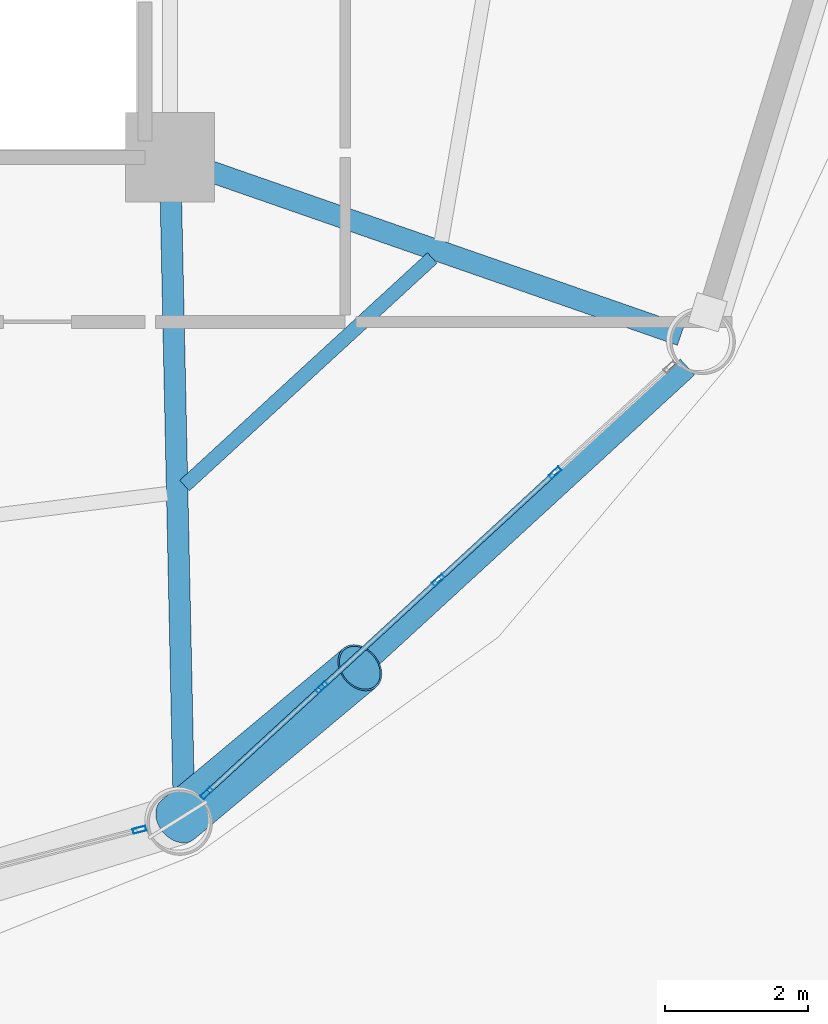
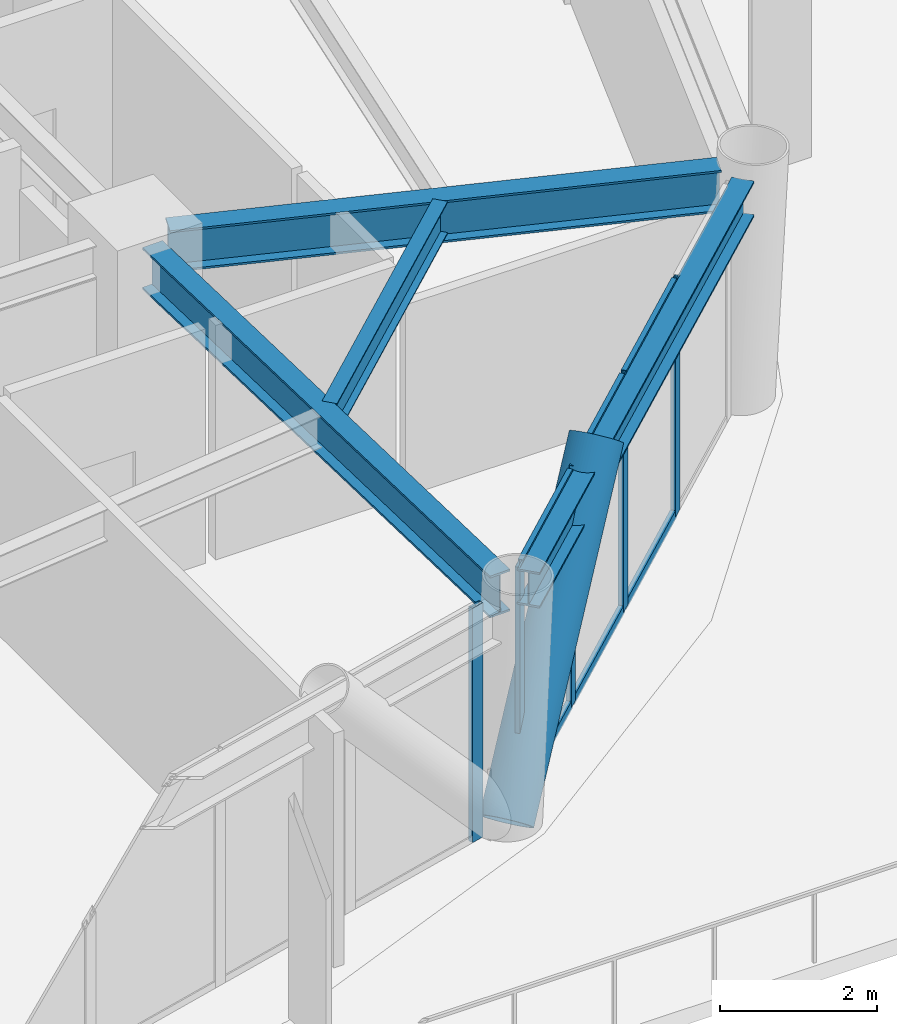
# One storey, part 11 of 24: 12 members, 4 beams, 2 elements without a shape of their own.
"""IFC4 building model written with IfcOpenShell, lengths in metres."""

from ifc_helpers import new_model, si_unit, direction, frame, origin, origin_2d, place, context, subcontext, project, spatial, hollow_rectangle, hollow_circle, i_section, extrude, material, layer, layer_set, material_profile, profile_set, type_object, element, aggregate, save


model = new_model("IFC4")

# Units and contexts
model_context = context("Model", 3, precision=1e-05, world=origin(), true_north=direction((0.0, 1.0)))
body_context = subcontext(model_context, "Body", "Model", "MODEL_VIEW")
ifc_project = project(units=[si_unit("LENGTHUNIT", "METRE"), si_unit("AREAUNIT", "SQUARE_METRE"), si_unit("VOLUMEUNIT", "CUBIC_METRE"), si_unit("PLANEANGLEUNIT", "RADIAN"), si_unit("MASSUNIT", "GRAM", prefix="KILO")], contexts=[model_context])

# Site, building, storey
site_placement = place(None, origin())
site = spatial("IfcSite", under=ifc_project, at=site_placement, CompositionType="ELEMENT")
building_placement = place(site_placement, origin())
building = spatial("IfcBuilding", under=site, at=building_placement, Name="Varnakorn Sky Granary", CompositionType="ELEMENT")
storey_placement = place(building_placement, frame((0.0, 0.0, 27.60009765625)))
storey = spatial("IfcBuildingStorey", under=building, at=storey_placement, Name="L06", CompositionType="ELEMENT", Elevation=27.60009765625)

# Beams
ifc_material_1 = material(Name="Steel S355JR", Category="steel")
ifc_material_profile_1 = material_profile(ifc_material_1, i_section(OverallWidth=0.300048828125, OverallDepth=0.64990234375, WebThickness=0.01611328125, FlangeThickness=0.031005859375, at=origin_2d()), Name="HE 650 B")
ifc_profile_set_1 = profile_set([ifc_material_profile_1], Name="Steel S355JR")
beam_type_1 = type_object("IfcBeamType", Name="BM-RAD-Z1", PredefinedType="BEAM", material=ifc_profile_set_1)
beam_1_placement = place(storey_placement, frame((8.35888671875, -7.02001953125, 3.31494140625), z_axis=(0.021471482042, -0.999769461155, 0.0), x_axis=(0.999769461155, 0.021471482042, 0.0)))
element("IfcBeam", 1, at=beam_1_placement, inside=storey, type_object=beam_type_1, Name="Radial Floor Girder RG11 L06", PredefinedType="BEAM", context=body_context, shape_type="SweptSolid", body=[
    extrude(i_section(OverallWidth=0.300048828125, OverallDepth=0.64990234375, WebThickness=0.01611328125, FlangeThickness=0.031005859375, at=origin_2d()), origin(), (0.0, 0.0, 1.0), 8.52783203125),
])
beam_2_placement = place(storey_placement, frame((8.74658203125, -6.738037109375, 3.31494140625), z_axis=(0.944458976559, -0.3286293377, 0.0), x_axis=(0.3286293377, 0.944458976559, 0.0)))
element("IfcBeam", 2, at=beam_2_placement, inside=storey, type_object=beam_type_1, Name="Radial Floor Girder RG12 L06", PredefinedType="BEAM", context=body_context, shape_type="SweptSolid", body=[
    extrude(i_section(OverallWidth=0.300048828125, OverallDepth=0.64990234375, WebThickness=0.01611328125, FlangeThickness=0.031005859375, at=origin_2d()), origin(), (0.0, 0.0, 1.0), 7.142333984375),
])
ifc_material_profile_2 = material_profile(ifc_material_1, i_section(OverallWidth=0.199951171875, OverallDepth=0.5, WebThickness=0.01025390625, FlangeThickness=0.01611328125, at=origin_2d()), Name="IPE 500")
ifc_profile_set_2 = profile_set([ifc_material_profile_2], Name="Steel S355JR")
beam_type_2 = type_object("IfcBeamType", Name="BM-SEC-Z1", PredefinedType="BEAM", material=ifc_profile_set_2)
beam_3_placement = place(storey_placement, frame((8.5537109375, -11.18798828125, 3.389892578125), z_axis=(0.736354085794, 0.676596379191, 0.0), x_axis=(-0.676596379191, 0.736354085794, 0.0)))
element("IfcBeam", 3, at=beam_3_placement, inside=storey, type_object=beam_type_2, Name="Secondary Floor Chord Beam MSB11 L06", PredefinedType="BEAM", context=body_context, shape_type="SweptSolid", body=[
    extrude(i_section(OverallWidth=0.199951171875, OverallDepth=0.5, WebThickness=0.01025390625, FlangeThickness=0.01611328125, at=origin_2d()), origin(), (0.0, 0.0, 1.0), 4.702392578125),
])
ifc_material_profile_3 = material_profile(ifc_material_1, i_section(OverallWidth=0.300048828125, OverallDepth=0.550048828125, WebThickness=0.014892578125, FlangeThickness=0.029052734375, at=origin_2d()), Name="HE 550 B")
ifc_profile_set_3 = profile_set([ifc_material_profile_3], Name="Steel S355JR")
beam_type_3 = type_object("IfcBeamType", Name="BM-SPD-Z1", PredefinedType="SPANDREL", material=ifc_profile_set_3)
beam_4_placement = place(storey_placement, frame((8.877197265625, -15.688720703125, 3.364990234375), z_axis=(0.736536158122, 0.676398172513, 0.0), x_axis=(-0.676398172513, 0.736536158122, 0.0)))
element("IfcBeam", 4, at=beam_4_placement, inside=storey, type_object=beam_type_3, Name="Perimeter Spandrel Ring Beam RB11 L06", PredefinedType="SPANDREL", context=body_context, shape_type="SweptSolid", body=[
    extrude(i_section(OverallWidth=0.300048828125, OverallDepth=0.550048828125, WebThickness=0.014892578125, FlangeThickness=0.029052734375, at=origin_2d()), origin(), (0.0, 0.0, 1.0), 9.10595703125),
])

# Curtain wall, member
ifc_material_2 = material(Name="Anodised Bronze Aluminium Alloy 6063-T6", Category="aluminium")
ifc_layer = layer(ifc_material_2, 0.18994140625, Name="Anodised Bronze Aluminium Alloy 6063-T6")
ifc_layer_set = layer_set([ifc_layer], Name="Anodised Bronze Aluminium Alloy 6063-T6")
curtain_wall_type = type_object("IfcCurtainWallType", Name="CW-FRM-1", PredefinedType="USERDEFINED", material=ifc_layer_set)
curtain_wall_1_placement = place(storey_placement, origin())
curtain_wall_1 = element("IfcCurtainWall", 5, at=curtain_wall_1_placement, inside=storey, type_object=curtain_wall_type, Name="Unitised Curtain Wall CW3 CW-L06-B10", ObjectType="CURTAIN WALL", PredefinedType="USERDEFINED")
ifc_material_profile_4 = material_profile(ifc_material_2, hollow_rectangle(XDim=0.070068359375, YDim=0.18505859375, WallThickness=0.00390625, at=origin_2d()), Name="ALU MULL 70x185")
ifc_profile_set_4 = profile_set([ifc_material_profile_4], Name="Anodised Bronze Aluminium Alloy 6063-T6")
member_type_1 = type_object("IfcMemberType", Name="CW-FRM-1-MULL", PredefinedType="MULLION", material=ifc_profile_set_4)
member_1_placement = place(storey_placement, frame((7.92333984375, -16.000244140625, 0.0), z_axis=(0.0, 0.0, 1.0), x_axis=(0.251609357822, -0.967828874883, 0.0)))
member_1 = element("IfcMember", 6, at=member_1_placement, type_object=member_type_1, Name="CW3 mullion 1", PredefinedType="MULLION", context=body_context, shape_type="SweptSolid", body=[
    extrude(hollow_rectangle(XDim=0.070068359375, YDim=0.18505859375, WallThickness=0.00390625, at=origin_2d()), origin(), (0.0, 0.0, 1.0), 3.639892578125),
])
aggregate(curtain_wall_1, [member_1])

# Curtain wall, members
curtain_wall_2_placement = place(storey_placement, origin())
curtain_wall_2 = element("IfcCurtainWall", 7, at=curtain_wall_2_placement, inside=storey, type_object=curtain_wall_type, Name="Unitised Curtain Wall CW3 CW-L06-B11", ObjectType="CURTAIN WALL", PredefinedType="USERDEFINED")
member_2_placement = place(storey_placement, frame((13.734375, -11.008544921875, 0.0), z_axis=(0.0, 0.0, 1.0), x_axis=(0.676914362354, -0.7360617814, 0.0)))
member_2 = element("IfcMember", 8, at=member_2_placement, type_object=member_type_1, Name="CW3 mullion 2", PredefinedType="MULLION", context=body_context, shape_type="SweptSolid", body=[
    extrude(hollow_rectangle(XDim=0.070068359375, YDim=0.18505859375, WallThickness=0.00390625, at=origin_2d()), origin(), (0.0, 0.0, 1.0), 3.639892578125),
])
member_3_placement = place(storey_placement, frame((12.102294921875, -12.509521484375, 0.0), z_axis=(0.0, 0.0, 1.0), x_axis=(0.676914362354, -0.7360617814, 0.0)))
member_3 = element("IfcMember", 9, at=member_3_placement, type_object=member_type_1, Name="CW3 mullion 3", PredefinedType="MULLION", context=body_context, shape_type="SweptSolid", body=[
    extrude(hollow_rectangle(XDim=0.070068359375, YDim=0.18505859375, WallThickness=0.00390625, at=origin_2d()), origin(), (0.0, 0.0, 1.0), 3.639892578125),
])
member_4_placement = place(storey_placement, frame((10.47021484375, -14.01025390625, 0.0), z_axis=(0.0, 0.0, 1.0), x_axis=(0.676914362354, -0.7360617814, 0.0)))
member_4 = element("IfcMember", 10, at=member_4_placement, type_object=member_type_1, Name="CW3 mullion 4", PredefinedType="MULLION", context=body_context, shape_type="SweptSolid", body=[
    extrude(hollow_rectangle(XDim=0.070068359375, YDim=0.18505859375, WallThickness=0.00390625, at=origin_2d()), origin(), (0.0, 0.0, 1.0), 3.639892578125),
])
member_5_placement = place(storey_placement, frame((8.86376953125, -15.487548828125, 0.0), z_axis=(0.0, 0.0, 1.0), x_axis=(0.676914362354, -0.7360617814, 0.0)))
member_5 = element("IfcMember", 11, at=member_5_placement, type_object=member_type_1, Name="CW3 mullion 5", PredefinedType="MULLION", context=body_context, shape_type="SweptSolid", body=[
    extrude(hollow_rectangle(XDim=0.070068359375, YDim=0.18505859375, WallThickness=0.00390625, at=origin_2d()), origin(), (0.0, 0.0, 1.0), 3.639892578125),
])
ifc_material_profile_5 = material_profile(ifc_material_2, hollow_rectangle(XDim=0.070068359375, YDim=0.139892578125, WallThickness=0.00341796875, at=origin_2d()), Name="ALU TRAN 70x140")
ifc_profile_set_5 = profile_set([ifc_material_profile_5], Name="Anodised Bronze Aluminium Alloy 6063-T6")
member_type_2 = type_object("IfcMemberType", Name="CW-FRM-1-TRAN", PredefinedType="USERDEFINED", material=ifc_profile_set_5)
member_6_placement = place(storey_placement, frame((13.70849609375, -11.0322265625, 0.034912109375), z_axis=(-0.736105481164, -0.676866841114, 0.0), x_axis=(0.676866841114, -0.736105481164, 0.0)))
member_6 = element("IfcMember", 12, at=member_6_placement, type_object=member_type_2, Name="CW3 transom 2.1", ObjectType="TRANSOM", PredefinedType="USERDEFINED", context=body_context, shape_type="SweptSolid", body=[
    extrude(hollow_rectangle(XDim=0.070068359375, YDim=0.139892578125, WallThickness=0.00341796875, at=origin_2d()), origin(), (0.0, 0.0, 1.0), 2.147216796875),
])
member_7_placement = place(storey_placement, frame((13.70849609375, -11.0322265625, 3.60498046875), z_axis=(-0.736105481164, -0.676866841114, 0.0), x_axis=(0.676866841114, -0.736105481164, 0.0)))
member_7 = element("IfcMember", 13, at=member_7_placement, type_object=member_type_2, Name="CW3 transom 2.2", ObjectType="TRANSOM", PredefinedType="USERDEFINED", context=body_context, shape_type="SweptSolid", body=[
    extrude(hollow_rectangle(XDim=0.070068359375, YDim=0.139892578125, WallThickness=0.00341796875, at=origin_2d()), origin(), (0.0, 0.0, 1.0), 2.147216796875),
])
member_8_placement = place(storey_placement, frame((12.076416015625, -12.533203125, 0.034912109375), z_axis=(-0.736105481164, -0.676866841114, 0.0), x_axis=(0.676866841114, -0.736105481164, 0.0)))
member_8 = element("IfcMember", 14, at=member_8_placement, type_object=member_type_2, Name="CW3 transom 3.1", ObjectType="TRANSOM", PredefinedType="USERDEFINED", context=body_context, shape_type="SweptSolid", body=[
    extrude(hollow_rectangle(XDim=0.070068359375, YDim=0.139892578125, WallThickness=0.00341796875, at=origin_2d()), origin(), (0.0, 0.0, 1.0), 2.147216796875),
])
member_9_placement = place(storey_placement, frame((12.076416015625, -12.533203125, 3.60498046875), z_axis=(-0.736105481164, -0.676866841114, 0.0), x_axis=(0.676866841114, -0.736105481164, 0.0)))
member_9 = element("IfcMember", 15, at=member_9_placement, type_object=member_type_2, Name="CW3 transom 3.2", ObjectType="TRANSOM", PredefinedType="USERDEFINED", context=body_context, shape_type="SweptSolid", body=[
    extrude(hollow_rectangle(XDim=0.070068359375, YDim=0.139892578125, WallThickness=0.00341796875, at=origin_2d()), origin(), (0.0, 0.0, 1.0), 2.147216796875),
])
member_10_placement = place(storey_placement, frame((10.4443359375, -14.033935546875, 0.034912109375), z_axis=(-0.736073807105, -0.676901285635, 0.0), x_axis=(0.676901285635, -0.736073807105, 0.0)))
member_10 = element("IfcMember", 16, at=member_10_placement, type_object=member_type_2, Name="CW3 transom 4.1", ObjectType="TRANSOM", PredefinedType="USERDEFINED", context=body_context, shape_type="SweptSolid", body=[
    extrude(hollow_rectangle(XDim=0.070068359375, YDim=0.139892578125, WallThickness=0.00341796875, at=origin_2d()), origin(), (0.0, 0.0, 1.0), 2.112548828125),
])
member_11_placement = place(storey_placement, frame((10.4443359375, -14.033935546875, 3.60498046875), z_axis=(-0.736073807105, -0.676901285635, 0.0), x_axis=(0.676901285635, -0.736073807105, 0.0)))
member_11 = element("IfcMember", 17, at=member_11_placement, type_object=member_type_2, Name="CW3 transom 4.2", ObjectType="TRANSOM", PredefinedType="USERDEFINED", context=body_context, shape_type="SweptSolid", body=[
    extrude(hollow_rectangle(XDim=0.070068359375, YDim=0.139892578125, WallThickness=0.00341796875, at=origin_2d()), origin(), (0.0, 0.0, 1.0), 2.112548828125),
])
aggregate(curtain_wall_2, [member_2, member_3, member_4, member_5, member_6, member_7, member_8, member_9, member_10, member_11])

# Member
ifc_material_3 = material(Name="Steel S460M", Category="steel")
ifc_material_profile_6 = material_profile(ifc_material_3, hollow_circle(Radius=0.35546875, WallThickness=0.02490234375, at=origin_2d()), Name="CHS 711x25")
ifc_profile_set_6 = profile_set([ifc_material_profile_6], Name="Steel S460M")
member_type_3 = type_object("IfcMemberType", Name="MB-DIAG-T0", PredefinedType="BRACE", material=ifc_profile_set_6)
member_12_placement = place(storey_placement, frame((8.45751953125, -15.861328125, 0.0), z_axis=(0.505621896802, 0.422102912219, 0.752446429303), x_axis=(-0.640857358835, 0.767659980478, 0.0)))
element("IfcMember", 18, at=member_12_placement, inside=storey, type_object=member_type_3, Name="Perimeter CHS Diagrid Brace DG11 L06", PredefinedType="BRACE", context=body_context, shape_type="SweptSolid", body=[
    extrude(hollow_circle(Radius=0.35546875, WallThickness=0.02490234375, at=origin_2d()), origin(), (0.0, 0.0, 1.0), 5.03662109375),
])

save(model, "model.ifc")
